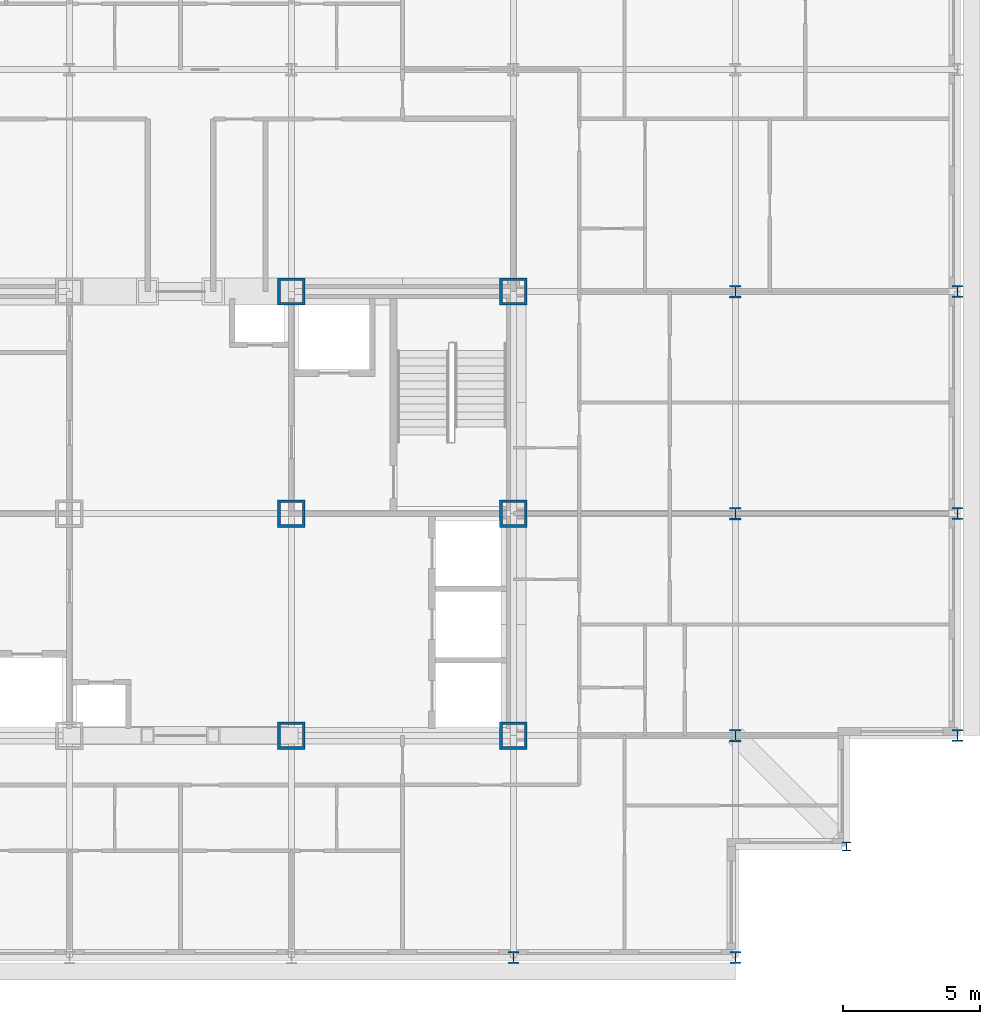
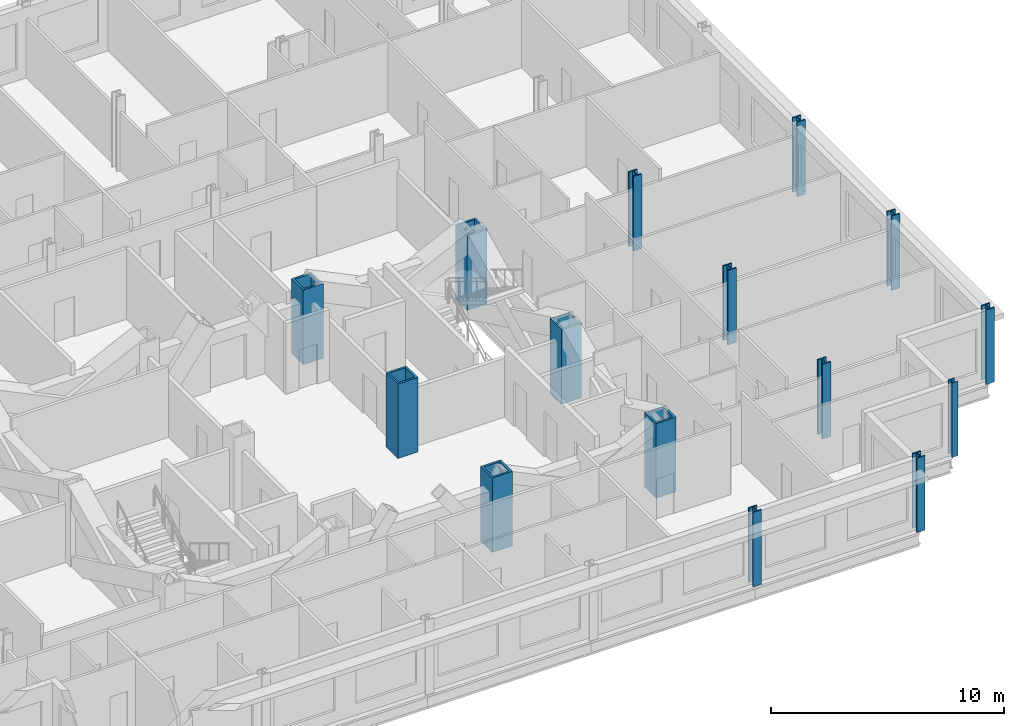
# One storey, part 2 of 16: 15 columns.
"""IFC4 building model written with IfcOpenShell, lengths in metres."""

from ifc_helpers import new_model, si_unit, direction, frame, origin, origin_2d, place, context, subcontext, project, spatial, hollow_rectangle, i_section, extrude, material, material_profile, profile_set, type_object, element, save


model = new_model("IFC4")

# Units and contexts
model_context = context("Model", 3, precision=1e-05, world=origin(), true_north=direction((0.0, 1.0)))
body_context = subcontext(model_context, "Body", "Model", "MODEL_VIEW")
ifc_project = project(units=[si_unit("LENGTHUNIT", "METRE"), si_unit("AREAUNIT", "SQUARE_METRE"), si_unit("VOLUMEUNIT", "CUBIC_METRE"), si_unit("PLANEANGLEUNIT", "RADIAN"), si_unit("MASSUNIT", "GRAM", prefix="KILO")], contexts=[model_context])

# Site, building, storey
site_placement = place(None, origin())
site = spatial("IfcSite", under=ifc_project, at=site_placement, CompositionType="ELEMENT")
building_placement = place(site_placement, origin())
building = spatial("IfcBuilding", under=site, at=building_placement, Name="Kopane Lantern Tower", CompositionType="ELEMENT")
storey_placement = place(building_placement, frame((0.0, 0.0, 258.0)))
storey = spatial("IfcBuildingStorey", under=building, at=storey_placement, Name="L66", CompositionType="ELEMENT", Elevation=258.0)

# Columns
ifc_material_1 = material(Name="Steel S355JR", Category="steel")
ifc_material_profile_1 = material_profile(ifc_material_1, hollow_rectangle(XDim=1.0, YDim=1.0, WallThickness=0.10009765625, at=origin_2d()), Name="BOX 1000x1000x100")
ifc_profile_set_1 = profile_set([ifc_material_profile_1], Name="Steel S355JR")
column_type_1 = type_object("IfcColumnType", Name="COLUMN BOX 1000x1000x100", PredefinedType="COLUMN", material=ifc_profile_set_1)
for number, where, z_axis, x_axis, name in (
    (1, (32.39990234375, 24.300048828125, 0.0), (0.0, 0.0, 1.0), (1.0, 0.0, 0.0), "Column 6/E L66"),
    (2, (32.39990234375, 32.39990234375, 0.0), (0.0, 0.0, 1.0), (1.0, 0.0, 0.0), "Column 6/F L66"),
    (3, (32.39990234375, 40.5, 0.0), (0.0, 0.0, 1.0), (1.0, 0.0, 0.0), "Column 6/G L66"),
    (4, (40.5, 24.300048828125, 0.0), (0.0, 0.0, 1.0), (1.0, 0.0, 0.0), "Column 7/E L66"),
    (5, (40.5, 32.39990234375, 0.0), (0.0, 0.0, 1.0), (1.0, 0.0, 0.0), "Column 7/F L66"),
    (6, (40.5, 40.5, 0.0), (0.0, 0.0, 1.0), (1.0, 0.0, 0.0), "Column 7/G L66"),
):
    element("IfcColumn", number, at=place(storey_placement, frame(where, z_axis=z_axis, x_axis=x_axis)), inside=storey, type_object=column_type_1, Name=name, PredefinedType="COLUMN", context=body_context, shape_type="SweptSolid", body=[
        extrude(hollow_rectangle(XDim=1.0, YDim=1.0, WallThickness=0.10009765625, at=origin_2d()), origin(), (0.0, 0.0, 1.0), 3.89990234375),
    ])
ifc_material_2 = material(Name="Steel S355JR", Category="steel")
ifc_material_profile_2 = material_profile(ifc_material_2, i_section(OverallWidth=0.307373046875, OverallDepth=0.314453125, WebThickness=0.011962890625, FlangeThickness=0.018798828125, FilletRadius=0.01513671875, at=origin_2d()), Name="UC 305x305x118")
ifc_profile_set_2 = profile_set([ifc_material_profile_2], Name="Steel S355JR")
column_type_2 = type_object("IfcColumnType", Name="COLUMN UC 305x305x118", PredefinedType="COLUMN", material=ifc_profile_set_2)
column_placement = place(storey_placement, frame((52.64990234375, 20.25, 0.0), z_axis=(0.0, 0.0, 1.0), x_axis=(1.0, 0.0, 0.0)))
element("IfcColumn", 7, at=column_placement, inside=storey, type_object=column_type_2, Name="Column 52.65/20.25 L66", PredefinedType="COLUMN", context=body_context, shape_type="SweptSolid", body=[
    extrude(i_section(OverallWidth=0.307373046875, OverallDepth=0.314453125, WebThickness=0.011962890625, FlangeThickness=0.018798828125, FilletRadius=0.01513671875, at=origin_2d()), origin(), (0.0, 0.0, 1.0), 3.89990234375),
])
ifc_material_3 = material(Name="Steel S355JR", Category="steel")
ifc_material_profile_3 = material_profile(ifc_material_3, i_section(OverallWidth=0.412109375, OverallDepth=0.4365234375, WebThickness=0.035888671875, FlangeThickness=0.05810546875, FilletRadius=0.01513671875, at=origin_2d()), Name="UC 356x406x467")
ifc_profile_set_3 = profile_set([ifc_material_profile_3], Name="Steel S355JR")
column_type_3 = type_object("IfcColumnType", Name="COLUMN UC 356x406x467", PredefinedType="COLUMN", material=ifc_profile_set_3)
for number, where, z_axis, x_axis, name in (
    (8, (40.5, 16.199951171875, 0.0), (0.0, 0.0, 1.0), (1.0, 0.0, 0.0), "Column 7/D L66"),
    (9, (48.60009765625, 16.199951171875, 0.0), (0.0, 0.0, 1.0), (1.0, 0.0, 0.0), "Column 8/D L66"),
    (10, (56.699951171875, 24.300048828125, 0.0), (0.0, 0.0, 1.0), (1.0, 0.0, 0.0), "Column 9/E L66"),
    (11, (56.699951171875, 32.39990234375, 0.0), (0.0, 0.0, 1.0), (1.0, 0.0, 0.0), "Column 9/F L66"),
    (12, (56.699951171875, 40.5, 0.0), (0.0, 0.0, 1.0), (1.0, 0.0, 0.0), "Column 9/G L66"),
):
    element("IfcColumn", number, at=place(storey_placement, frame(where, z_axis=z_axis, x_axis=x_axis)), inside=storey, type_object=column_type_3, Name=name, PredefinedType="COLUMN", context=body_context, shape_type="SweptSolid", body=[
        extrude(i_section(OverallWidth=0.412109375, OverallDepth=0.4365234375, WebThickness=0.035888671875, FlangeThickness=0.05810546875, FilletRadius=0.01513671875, at=origin_2d()), origin(), (0.0, 0.0, 1.0), 3.89990234375),
    ])
ifc_material_4 = material(Name="Steel S355JR", Category="steel")
ifc_material_profile_4 = material_profile(ifc_material_4, i_section(OverallWidth=0.41845703125, OverallDepth=0.45556640625, WebThickness=0.0419921875, FlangeThickness=0.0673828125, FilletRadius=0.01513671875, at=origin_2d()), Name="UC 356x406x551")
ifc_profile_set_4 = profile_set([ifc_material_profile_4], Name="Steel S355JR")
column_type_4 = type_object("IfcColumnType", Name="COLUMN UC 356x406x551", PredefinedType="COLUMN", material=ifc_profile_set_4)
for number, where, z_axis, x_axis, name in (
    (13, (48.60009765625, 24.300048828125, 0.0), (0.0, 0.0, 1.0), (1.0, 0.0, 0.0), "Column 8/E L66"),
    (14, (48.60009765625, 32.39990234375, 0.0), (0.0, 0.0, 1.0), (1.0, 0.0, 0.0), "Column 8/F L66"),
    (15, (48.60009765625, 40.5, 0.0), (0.0, 0.0, 1.0), (1.0, 0.0, 0.0), "Column 8/G L66"),
):
    element("IfcColumn", number, at=place(storey_placement, frame(where, z_axis=z_axis, x_axis=x_axis)), inside=storey, type_object=column_type_4, Name=name, PredefinedType="COLUMN", context=body_context, shape_type="SweptSolid", body=[
        extrude(i_section(OverallWidth=0.41845703125, OverallDepth=0.45556640625, WebThickness=0.0419921875, FlangeThickness=0.0673828125, FilletRadius=0.01513671875, at=origin_2d()), origin(), (0.0, 0.0, 1.0), 3.89990234375),
    ])

save(model, "model.ifc")
